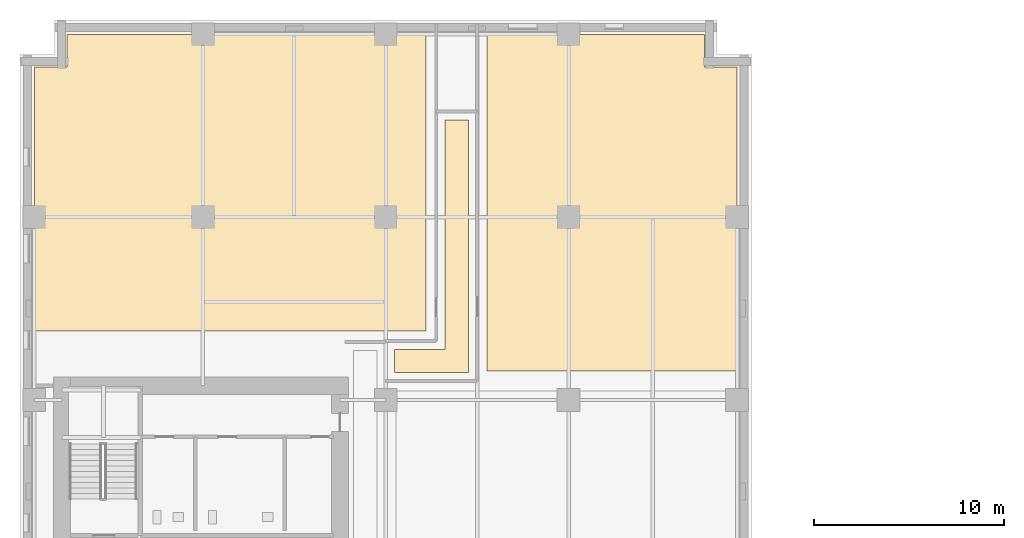
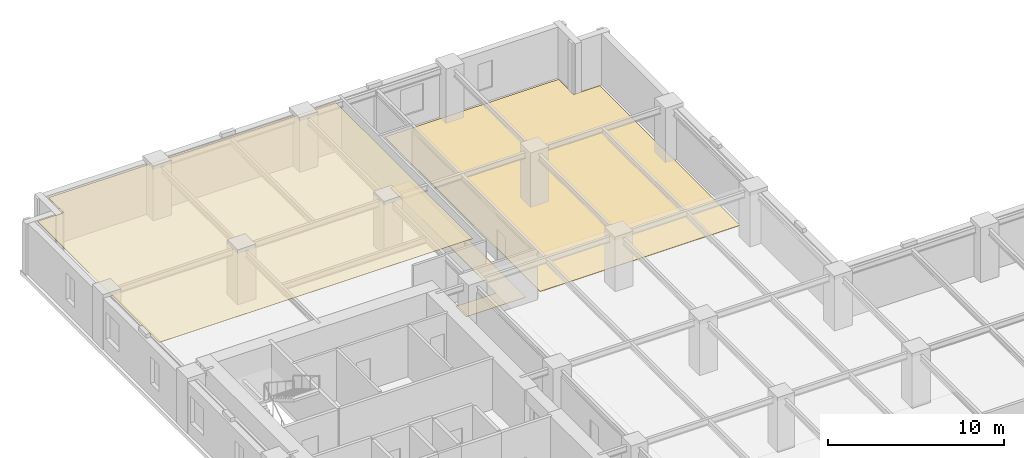
# One storey, part 12 of 13: 3 coverings.
"""IFC4 building model written with IfcOpenShell, lengths in metres."""

from ifc_helpers import new_model, si_unit, direction, frame, origin, place, context, subcontext, project, spatial, polyline, outline, extrude, material, layer, layer_set, type_object, element, save


model = new_model("IFC4")

# Units and contexts
model_context = context("Model", 3, precision=1e-05, world=origin(), true_north=direction((0.0, 1.0)))
body_context = subcontext(model_context, "Body", "Model", "MODEL_VIEW")
ifc_project = project(units=[si_unit("LENGTHUNIT", "METRE"), si_unit("AREAUNIT", "SQUARE_METRE"), si_unit("VOLUMEUNIT", "CUBIC_METRE"), si_unit("PLANEANGLEUNIT", "RADIAN"), si_unit("MASSUNIT", "GRAM", prefix="KILO")], contexts=[model_context])

# Site, building, storey
site_placement = place(None, origin())
site = spatial("IfcSite", under=ifc_project, at=site_placement, CompositionType="ELEMENT")
building_placement = place(site_placement, origin())
building = spatial("IfcBuilding", under=site, at=building_placement, Name="Norrvale University Quadrangle", CompositionType="ELEMENT")
storey_placement = place(building_placement, frame((0.0, 0.0, 35.60009765625)))
storey = spatial("IfcBuildingStorey", under=building, at=storey_placement, Name="L08", CompositionType="ELEMENT", Elevation=35.60009765625)

# Coverings
ifc_material_1 = material(Name="Perforated Acoustic Mineral Ceiling")
ifc_layer_1 = layer(ifc_material_1, 0.02490234375, Name="Perforated Acoustic Mineral Ceiling")
ifc_layer_set_1 = layer_set([ifc_layer_1], Name="Perforated Acoustic Mineral Ceiling")
covering_type_1 = type_object("IfcCoveringType", Name="Covering Acoustic Ceiling 25", PredefinedType="CEILING", material=ifc_layer_set_1)
covering_1_placement = place(storey_placement, frame((0.0, 0.0, 3.514892578125)))
element("IfcCovering", 1, at=covering_1_placement, inside=storey, type_object=covering_type_1, Name="Acoustic Ceiling RM-L08-NW01", PredefinedType="CEILING", context=body_context, shape_type="SweptSolid", body=[
    extrude(outline(polyline([(21.320068359375, 66.449951171875), (21.320068359375, 50.8798828125), (0.75, 50.8798828125), (0.75, 64.72998046875), (2.469970703125, 64.72998046875), (2.469970703125, 66.449951171875), (21.320068359375, 66.449951171875)])), origin(), (0.0, 0.0, 1.0), 0.02490234375),
])
ifc_material_2 = material(Name="Polished Terrazzo Flooring")
ifc_layer_2 = layer(ifc_material_2, 0.02490234375, Name="Polished Terrazzo Flooring")
ifc_layer_set_2 = layer_set([ifc_layer_2], Name="Polished Terrazzo Flooring")
covering_type_2 = type_object("IfcCoveringType", Name="Covering Terrazzo Floor 30", PredefinedType="FLOORING", material=ifc_layer_set_2)
covering_2_placement = place(storey_placement, origin())
element("IfcCovering", 2, at=covering_2_placement, inside=storey, type_object=covering_type_2, Name="Terrazzo Flooring RM-L08-NCJOG", PredefinedType="FLOORING", context=body_context, shape_type="SweptSolid", body=[
    extrude(outline(polyline([(19.64990234375, 48.699951171875), (19.64990234375, 49.89990234375), (22.300048828125, 49.89990234375), (22.300048828125, 61.949951171875), (23.550048828125, 61.949951171875), (23.550048828125, 48.699951171875), (19.64990234375, 48.699951171875)])), origin(), (0.0, 0.0, 1.0), 0.02490234375),
])
covering_3_placement = place(storey_placement, origin())
element("IfcCovering", 3, at=covering_3_placement, inside=storey, type_object=covering_type_2, Name="Terrazzo Flooring RM-L08-NE01", PredefinedType="FLOORING", context=body_context, shape_type="SweptSolid", body=[
    extrude(outline(polyline([(37.64990234375, 48.780029296875), (24.530029296875, 48.780029296875), (24.530029296875, 66.449951171875), (35.929931640625, 66.449951171875), (35.929931640625, 64.72998046875), (37.64990234375, 64.72998046875), (37.64990234375, 48.780029296875)])), origin(), (0.0, 0.0, 1.0), 0.02490234375),
])

save(model, "model.ifc")
